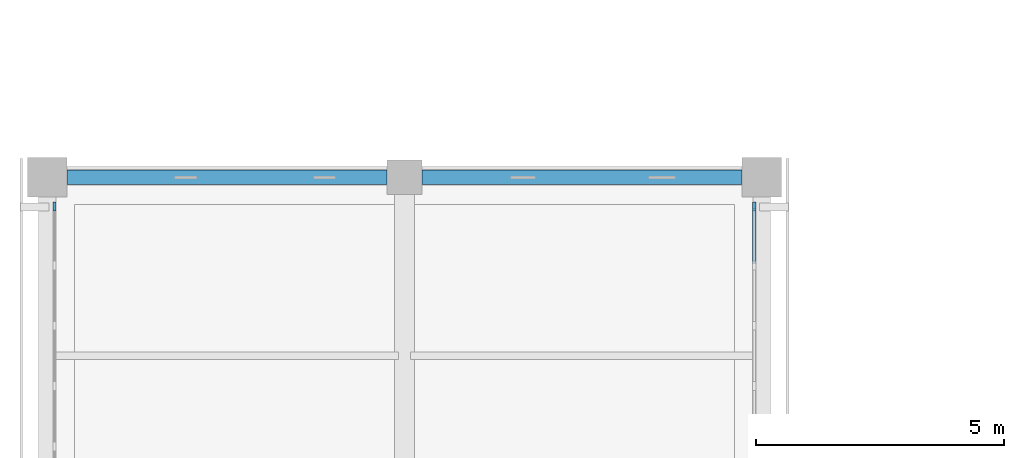
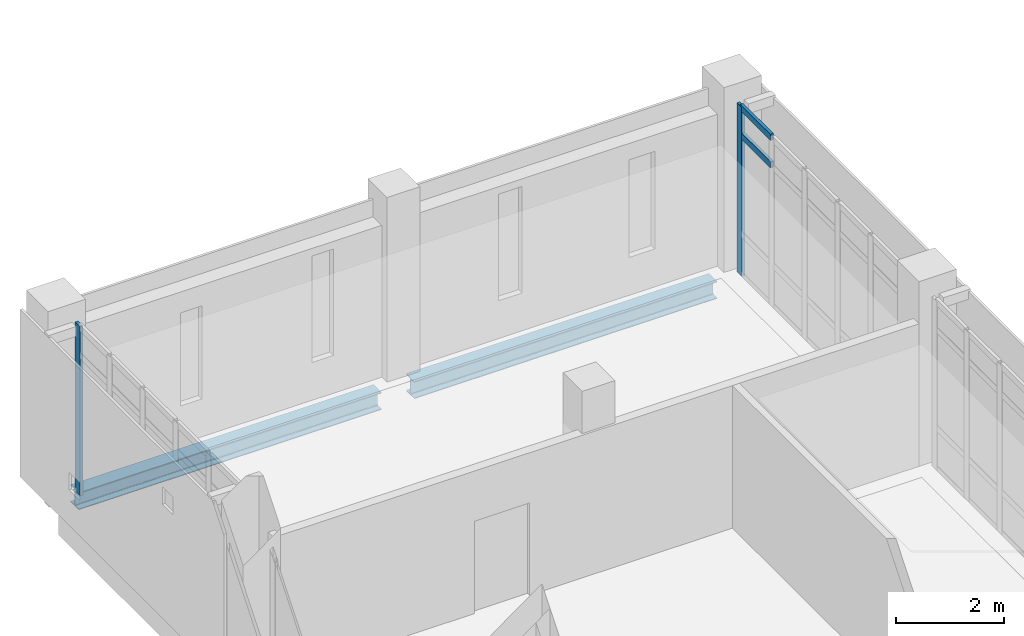
# One storey, part 15 of 33: 4 members, 2 beams, 2 elements without a shape of their own.
"""IFC4 building model written with IfcOpenShell, lengths in metres."""

from ifc_helpers import new_model, si_unit, direction, frame, origin, origin_2d, place, context, subcontext, project, spatial, rectangle, i_section, extrude, material, layer, layer_set, material_profile, profile_set, type_object, element, aggregate, save


model = new_model("IFC4")

# Units and contexts
model_context = context("Model", 3, precision=1e-05, world=origin(), true_north=direction((0.0, 1.0)))
body_context = subcontext(model_context, "Body", "Model", "MODEL_VIEW")
ifc_project = project(units=[si_unit("LENGTHUNIT", "METRE"), si_unit("AREAUNIT", "SQUARE_METRE"), si_unit("VOLUMEUNIT", "CUBIC_METRE"), si_unit("PLANEANGLEUNIT", "RADIAN"), si_unit("MASSUNIT", "GRAM", prefix="KILO")], contexts=[model_context])

# Site, building, storey
site_placement = place(None, origin())
site = spatial("IfcSite", under=ifc_project, at=site_placement, CompositionType="ELEMENT")
building_placement = place(site_placement, origin())
building = spatial("IfcBuilding", under=site, at=building_placement, Name="Valkovuoma Quantum and Materials Research Institute", CompositionType="ELEMENT")
storey_placement = place(building_placement, frame((0.0, 0.0, 25.60009765625)))
storey = spatial("IfcBuildingStorey", under=building, at=storey_placement, Name="L06", CompositionType="ELEMENT", Elevation=25.60009765625)

# Beams
ifc_material_1 = material(Name="Steel S355J2", Category="steel")
ifc_material_profile_1 = material_profile(ifc_material_1, i_section(OverallWidth=0.300048828125, OverallDepth=0.389892578125, WebThickness=0.010986328125, FlangeThickness=0.01904296875, FilletRadius=0.027099609375, at=origin_2d()), Name="Steel S355J2")
ifc_profile_set_1 = profile_set([ifc_material_profile_1], Name="Steel S355J2")
beam_type = type_object("IfcBeamType", Name="Beam-B-HEA400", PredefinedType="SPANDREL", material=ifc_profile_set_1)
beam_1_placement = place(storey_placement, frame((0.39990234375, 93.60009765625, -0.545166015625), z_axis=(1.0, 0.0, 0.0), x_axis=(0.0, 1.0, 0.0)))
element("IfcBeam", 1, at=beam_1_placement, inside=storey, type_object=beam_type, Name="L06 beam X-2362", PredefinedType="SPANDREL", context=body_context, shape_type="SweptSolid", body=[
    extrude(i_section(OverallWidth=0.300048828125, OverallDepth=0.389892578125, WebThickness=0.010986328125, FlangeThickness=0.01904296875, FilletRadius=0.027099609375, at=origin_2d()), origin(), (0.0, 0.0, 1.0), 6.4501953125),
])
beam_2_placement = place(storey_placement, frame((7.550048828125, 93.60009765625, -0.545166015625), z_axis=(1.0, 0.0, 0.0), x_axis=(0.0, 1.0, 0.0)))
element("IfcBeam", 2, at=beam_2_placement, inside=storey, type_object=beam_type, Name="L06 beam X-2363", PredefinedType="SPANDREL", context=body_context, shape_type="SweptSolid", body=[
    extrude(i_section(OverallWidth=0.300048828125, OverallDepth=0.389892578125, WebThickness=0.010986328125, FlangeThickness=0.01904296875, FilletRadius=0.027099609375, at=origin_2d()), origin(), (0.0, 0.0, 1.0), 6.449951171875),
])

# Curtain wall, member
ifc_material_2 = material(Name="Thermally broken aluminium and triple low-E glazing", Category="aluminium")
ifc_layer = layer(ifc_material_2, 0.219970703125)
ifc_layer_set = layer_set([ifc_layer], Name="Thermally broken aluminium and triple low-E glazing")
curtain_wall_type = type_object("IfcCurtainWallType", Name="CW-CW-01", PredefinedType="NOTDEFINED", material=ifc_layer_set)
curtain_wall_1_placement = place(storey_placement, origin())
curtain_wall_1 = element("IfcCurtainWall", 3, at=curtain_wall_1_placement, inside=storey, type_object=curtain_wall_type, Name="L06 curtain wall 089", PredefinedType="NOTDEFINED")
ifc_material_3 = material(Name="Anodised aluminium 6060-T66", Category="aluminium")
ifc_material_profile_2 = material_profile(ifc_material_3, rectangle(XDim=0.06494140625, YDim=0.179931640625, at=origin_2d()), Name="Anodised aluminium 6060-T66")
ifc_profile_set_2 = profile_set([ifc_material_profile_2], Name="Anodised aluminium 6060-T66")
member_type_1 = type_object("IfcMemberType", Name="CWMull-CWM-01", PredefinedType="MULLION", material=ifc_profile_set_2)
member_1_placement = place(storey_placement, frame((0.14990234375, 93.010498046875, 0.0), z_axis=(0.0, 0.0, 1.0), x_axis=(-1.0, 0.0, 0.0)))
member_1 = element("IfcMember", 4, at=member_1_placement, type_object=member_type_1, Name="CW-01 mullion 6", PredefinedType="MULLION", context=body_context, shape_type="SweptSolid", body=[
    extrude(rectangle(XDim=0.06494140625, YDim=0.179931640625, at=origin_2d()), origin(), (0.0, 0.0, 1.0), 3.809814453125),
])
aggregate(curtain_wall_1, [member_1])

# Curtain wall, members
curtain_wall_2_placement = place(storey_placement, origin())
curtain_wall_2 = element("IfcCurtainWall", 5, at=curtain_wall_2_placement, inside=storey, type_object=curtain_wall_type, Name="L06 curtain wall 090", PredefinedType="NOTDEFINED")
member_2_placement = place(storey_placement, frame((14.25, 93.010498046875, 0.0), z_axis=(0.0, 0.0, 1.0), x_axis=(-1.0, 0.0, 0.0)))
member_2 = element("IfcMember", 6, at=member_2_placement, type_object=member_type_1, Name="CW-01 mullion 6", PredefinedType="MULLION", context=body_context, shape_type="SweptSolid", body=[
    extrude(rectangle(XDim=0.06494140625, YDim=0.179931640625, at=origin_2d()), origin(), (0.0, 0.0, 1.0), 3.809814453125),
])
ifc_material_4 = material(Name="Anodised aluminium 6060-T66", Category="aluminium")
ifc_material_profile_3 = material_profile(ifc_material_4, rectangle(XDim=0.06494140625, YDim=0.139892578125, at=origin_2d()), Name="Anodised aluminium 6060-T66")
ifc_profile_set_3 = profile_set([ifc_material_profile_3], Name="Anodised aluminium 6060-T66")
member_type_2 = type_object("IfcMemberType", Name="CWTran-CWT-01", PredefinedType="USERDEFINED", material=ifc_profile_set_3)
member_3_placement = place(storey_placement, frame((14.25, 91.858154296875, 3.159912109375), z_axis=(0.0, 1.0, 0.0), x_axis=(-1.0, 0.0, 0.0)))
member_3 = element("IfcMember", 7, at=member_3_placement, type_object=member_type_2, Name="CW-01 transom 5.3", ObjectType="TRANSOM", PredefinedType="USERDEFINED", context=body_context, shape_type="SweptSolid", body=[
    extrude(rectangle(XDim=0.06494140625, YDim=0.139892578125, at=origin_2d()), origin(), (0.0, 0.0, 1.0), 1.11962890625),
])
member_4_placement = place(storey_placement, frame((14.25, 91.858154296875, 3.77734375), z_axis=(0.0, 1.0, 0.0), x_axis=(-1.0, 0.0, 0.0)))
member_4 = element("IfcMember", 8, at=member_4_placement, type_object=member_type_2, Name="CW-01 transom 5.4", ObjectType="TRANSOM", PredefinedType="USERDEFINED", context=body_context, shape_type="SweptSolid", body=[
    extrude(rectangle(XDim=0.06494140625, YDim=0.139892578125, at=origin_2d()), origin(), (0.0, 0.0, 1.0), 1.11962890625),
])
aggregate(curtain_wall_2, [member_2, member_3, member_4])

save(model, "model.ifc")
